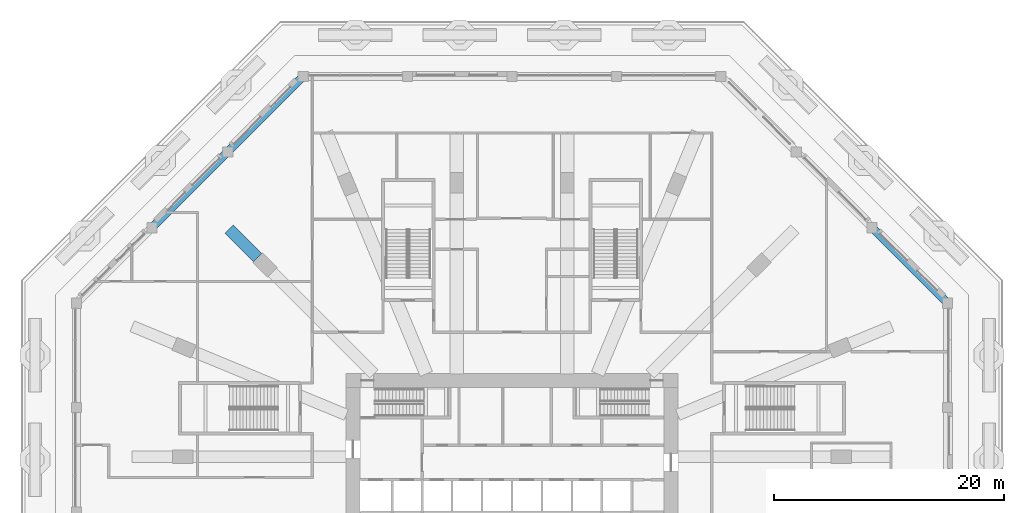
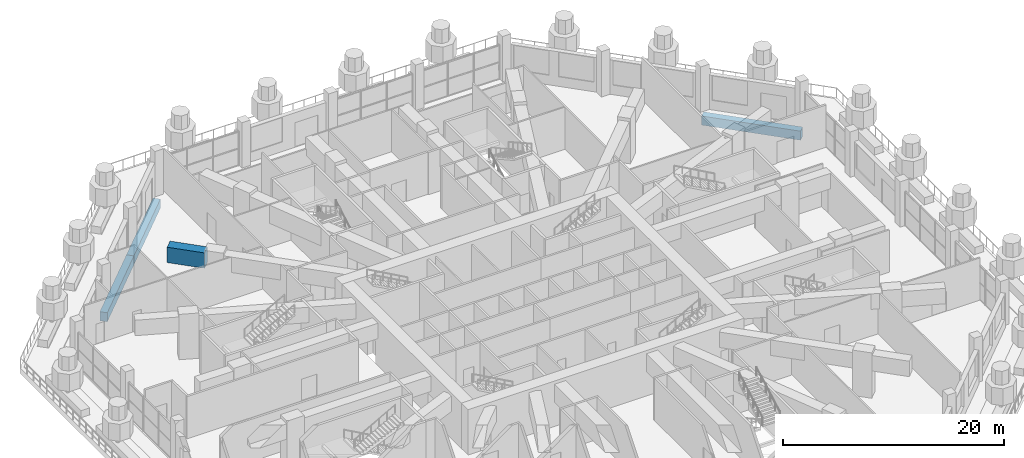
# One storey, part 9 of 25: 4 beams.
"""IFC4 building model written with IfcOpenShell, lengths in metres."""

from ifc_helpers import new_model, si_unit, direction, frame, origin, origin_2d, place, context, subcontext, project, spatial, rectangle, extrude, material, material_profile, profile_set, type_object, element, save


model = new_model("IFC4")

# Units and contexts
model_context = context("Model", 3, precision=1e-05, world=origin(), true_north=direction((0.0, 1.0)))
body_context = subcontext(model_context, "Body", "Model", "MODEL_VIEW")
ifc_project = project(units=[si_unit("LENGTHUNIT", "METRE"), si_unit("AREAUNIT", "SQUARE_METRE"), si_unit("VOLUMEUNIT", "CUBIC_METRE"), si_unit("PLANEANGLEUNIT", "RADIAN"), si_unit("MASSUNIT", "GRAM", prefix="KILO")], contexts=[model_context])

# Site, building, storey
site_placement = place(None, origin())
site = spatial("IfcSite", under=ifc_project, at=site_placement, CompositionType="ELEMENT")
building_placement = place(site_placement, origin())
building = spatial("IfcBuilding", under=site, at=building_placement, Name="Msitu Wima Residences", CompositionType="ELEMENT")
storey_placement = place(building_placement, frame((0.0, 0.0, 11.0)))
storey = spatial("IfcBuildingStorey", under=building, at=storey_placement, Name="L02", CompositionType="ELEMENT", Elevation=11.0)

# Beams
ifc_material = material(Name="Concrete C60/75", Category="concrete")
ifc_material_profile_1 = material_profile(ifc_material, rectangle(XDim=1.0, YDim=1.699951171875, at=origin_2d()), Name="RC 1000x1700")
ifc_profile_set_1 = profile_set([ifc_material_profile_1], Name="Concrete C60/75")
beam_type_1 = type_object("IfcBeamType", Name="Podium cantilever girder tip RC 1000x1700 Concrete C60/75", PredefinedType="BEAM", material=ifc_profile_set_1)
beam_placement = place(storey_placement, frame((-22.06884765625, 22.06884765625, 3.800048828125), z_axis=(-0.707106781187, 0.707106781187, 0.0), x_axis=(-0.707106781187, -0.707106781187, 0.0)))
element("IfcBeam", 1, at=beam_placement, inside=storey, type_object=beam_type_1, Name="Podium cantilever girder L03 C-NW1 cantilever", PredefinedType="BEAM", context=body_context, shape_type="SweptSolid", body=[
    extrude(rectangle(XDim=1.0, YDim=1.699951171875, at=origin_2d()), origin(), (0.0, 0.0, 1.0), 3.4990234375),
])
ifc_material_profile_2 = material_profile(ifc_material, rectangle(XDim=0.699951171875, YDim=1.0, at=origin_2d()), Name="RC 700x1000")
ifc_profile_set_2 = profile_set([ifc_material_profile_2], Name="Concrete C60/75")
beam_type_2 = type_object("IfcBeamType", Name="Terrace beam RC 700x1000 Concrete C60/75", PredefinedType="BEAM", material=ifc_profile_set_2)
for number, where, z_axis, x_axis, name in (
    (2, (37.800048828125, 18.1279296875, -1.10009765625), (-0.707106781187, 0.707106781187, 0.0), (-0.707106781187, -0.707106781187, 0.0), "Terrace upstand-line beam L02 C-NE0"),
    (3, (-18.1279296875, 37.800048828125, -1.10009765625), (-0.707106781187, -0.707106781187, 0.0), (0.707106781187, -0.707106781187, 0.0), "Terrace upstand-line beam L02 C-NW0"),
    (4, (-24.685302734375, 31.24267578125, -1.10009765625), (-0.707106781187, -0.707106781187, 0.0), (0.707106781187, -0.707106781187, 0.0), "Terrace upstand-line beam L02 C-NW1"),
):
    element("IfcBeam", number, at=place(storey_placement, frame(where, z_axis=z_axis, x_axis=x_axis)), inside=storey, type_object=beam_type_2, Name=name, PredefinedType="BEAM", context=body_context, shape_type="SweptSolid", body=[
        extrude(rectangle(XDim=0.699951171875, YDim=1.0, at=origin_2d()), origin(), (0.0, 0.0, 1.0), 9.2734375),
    ])

save(model, "model.ifc")
